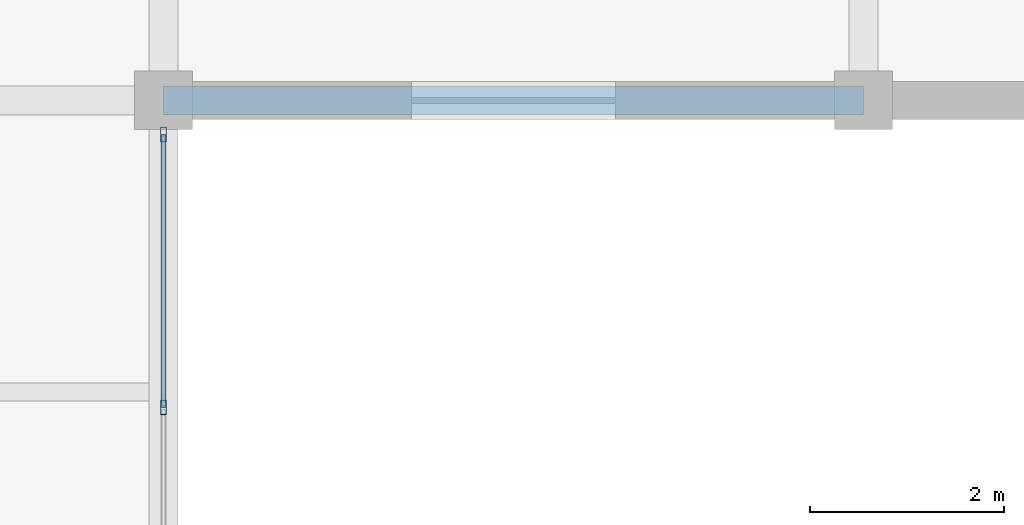
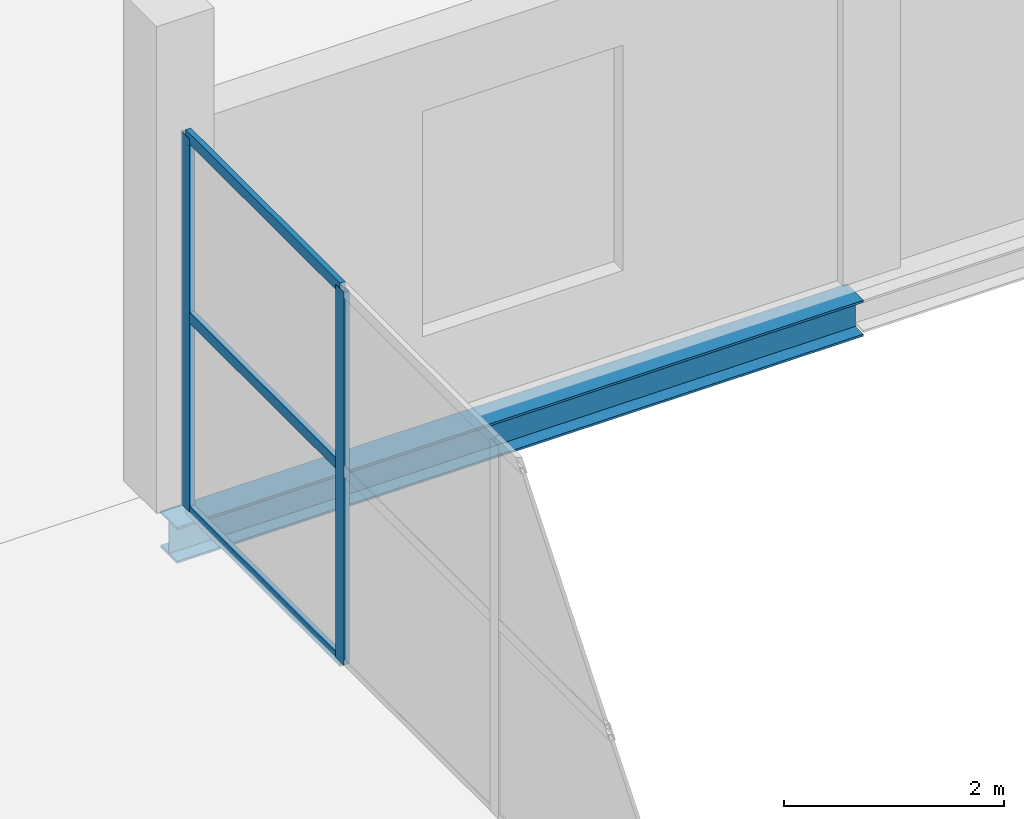
# One storey, part 86 of 141: 5 members, 1 beam, 1 element without a shape of its own.
"""IFC4 building model written with IfcOpenShell, lengths in metres."""

from ifc_helpers import new_model, si_unit, direction, frame, origin, origin_2d, place, context, subcontext, project, spatial, hollow_rectangle, i_section, extrude, material, layer, layer_set, material_profile, profile_set, type_object, element, aggregate, save


model = new_model("IFC4")

# Units and contexts
model_context = context("Model", 3, precision=1e-05, world=origin(), true_north=direction((0.0, 1.0)))
body_context = subcontext(model_context, "Body", "Model", "MODEL_VIEW")
ifc_project = project(units=[si_unit("LENGTHUNIT", "METRE"), si_unit("AREAUNIT", "SQUARE_METRE"), si_unit("VOLUMEUNIT", "CUBIC_METRE"), si_unit("PLANEANGLEUNIT", "RADIAN"), si_unit("MASSUNIT", "GRAM", prefix="KILO")], contexts=[model_context])

# Site, building, storey
site_placement = place(None, origin())
site = spatial("IfcSite", under=ifc_project, at=site_placement, CompositionType="ELEMENT")
building_placement = place(site_placement, origin())
building = spatial("IfcBuilding", under=site, at=building_placement, Name="Sundgate Opera House", CompositionType="ELEMENT")
storey_placement = place(building_placement, frame((0.0, 0.0, 11.39990234375)))
storey = spatial("IfcBuildingStorey", under=building, at=storey_placement, Name="L02", CompositionType="ELEMENT", Elevation=11.39990234375)

# Beam
ifc_material_1 = material(Name="Steel S355J2", Category="steel")
ifc_material_profile_1 = material_profile(ifc_material_1, i_section(OverallWidth=0.300048828125, OverallDepth=0.39990234375, WebThickness=0.013427734375, FlangeThickness=0.02392578125, at=origin_2d()), Name="HEB 400")
ifc_profile_set_1 = profile_set([ifc_material_profile_1], Name="Steel S355J2")
beam_type = type_object("IfcBeamType", Name="BM-GR-HEB400", PredefinedType="BEAM", material=ifc_profile_set_1)
beam_placement = place(storey_placement, frame((145.800048828125, 69.0, -0.5498046875), z_axis=(1.0, 0.0, 0.0), x_axis=(0.0, 1.0, 0.0)))
element("IfcBeam", 1, at=beam_placement, inside=storey, type_object=beam_type, Name="L02 Primary E-W Girder B2041", PredefinedType="BEAM", context=body_context, shape_type="SweptSolid", body=[
    extrude(i_section(OverallWidth=0.300048828125, OverallDepth=0.39990234375, WebThickness=0.013427734375, FlangeThickness=0.02392578125, at=origin_2d()), origin(), (0.0, 0.0, 1.0), 7.199951171875),
])

# Curtain wall, members
ifc_material_2 = material(Name="Anodized aluminium and low-iron glass", Category="aluminium")
ifc_layer = layer(ifc_material_2, 0.159912109375)
ifc_layer_set = layer_set([ifc_layer], Name="Anodized aluminium and low-iron glass")
curtain_wall_type = type_object("IfcCurtainWallType", Name="CW-STUDIO-DARK", PredefinedType="NOTDEFINED", material=ifc_layer_set)
curtain_wall_placement = place(storey_placement, origin())
curtain_wall = element("IfcCurtainWall", 2, at=curtain_wall_placement, inside=storey, type_object=curtain_wall_type, Name="L02 Curtain Wall CW069", PredefinedType="NOTDEFINED")
ifc_material_3 = material(Name="Anodized aluminium EN AW-6063", Category="aluminium")
ifc_material_profile_2 = material_profile(ifc_material_3, hollow_rectangle(XDim=0.06005859375, YDim=0.14990234375, WallThickness=0.00390625, at=origin_2d()), Name="CWM 150x60x4")
ifc_profile_set_2 = profile_set([ifc_material_profile_2], Name="Anodized aluminium EN AW-6063")
member_type_1 = type_object("IfcMemberType", Name="CWM-ALU-150x60", PredefinedType="MULLION", material=ifc_profile_set_2)
member_1_placement = place(storey_placement, frame((145.800048828125, 65.841552734375, 0.0), z_axis=(0.0, 0.0, 1.0), x_axis=(1.0, 0.0, 0.0)))
member_1 = element("IfcMember", 3, at=member_1_placement, type_object=member_type_1, Name="CW069 Mullion 3", PredefinedType="MULLION", context=body_context, shape_type="SweptSolid", body=[
    extrude(hollow_rectangle(XDim=0.06005859375, YDim=0.14990234375, WallThickness=0.00390625, at=origin_2d()), origin(), (0.0, 0.0, 1.0), 4.135009765625),
])
member_2_placement = place(storey_placement, frame((145.800048828125, 68.64990234375, 0.0), z_axis=(0.0, 0.0, 1.0), x_axis=(1.0, 0.0, 0.0)))
member_2 = element("IfcMember", 4, at=member_2_placement, type_object=member_type_1, Name="CW069 Mullion 4", PredefinedType="MULLION", context=body_context, shape_type="SweptSolid", body=[
    extrude(hollow_rectangle(XDim=0.06005859375, YDim=0.14990234375, WallThickness=0.00390625, at=origin_2d()), origin(), (0.0, 0.0, 1.0), 4.135009765625),
])
ifc_material_4 = material(Name="Anodized aluminium EN AW-6063", Category="aluminium")
ifc_material_profile_3 = material_profile(ifc_material_4, hollow_rectangle(XDim=0.054931640625, YDim=0.1201171875, WallThickness=0.00390625, at=origin_2d()), Name="CWT 120x55x4")
ifc_profile_set_3 = profile_set([ifc_material_profile_3], Name="Anodized aluminium EN AW-6063")
member_type_2 = type_object("IfcMemberType", Name="CWT-ALU-120x55", PredefinedType="USERDEFINED", material=ifc_profile_set_3)
member_3_placement = place(storey_placement, frame((145.800048828125, 65.841552734375, 0.0), z_axis=(0.0, 1.0, 0.0), x_axis=(-1.0, 0.0, 0.0)))
member_3 = element("IfcMember", 5, at=member_3_placement, type_object=member_type_2, Name="CW069 Transom 7", ObjectType="TRANSOM", PredefinedType="USERDEFINED", context=body_context, shape_type="SweptSolid", body=[
    extrude(hollow_rectangle(XDim=0.054931640625, YDim=0.1201171875, WallThickness=0.00390625, at=origin_2d()), origin(), (0.0, 0.0, 1.0), 2.808349609375),
])
member_4_placement = place(storey_placement, frame((145.800048828125, 65.841552734375, 2.150146484375), z_axis=(0.0, 1.0, 0.0), x_axis=(-1.0, 0.0, 0.0)))
member_4 = element("IfcMember", 6, at=member_4_placement, type_object=member_type_2, Name="CW069 Transom 8", ObjectType="TRANSOM", PredefinedType="USERDEFINED", context=body_context, shape_type="SweptSolid", body=[
    extrude(hollow_rectangle(XDim=0.054931640625, YDim=0.1201171875, WallThickness=0.00390625, at=origin_2d()), origin(), (0.0, 0.0, 1.0), 2.808349609375),
])
member_5_placement = place(storey_placement, frame((145.800048828125, 65.841552734375, 4.135009765625), z_axis=(0.0, 1.0, 0.0), x_axis=(-1.0, 0.0, 0.0)))
member_5 = element("IfcMember", 7, at=member_5_placement, type_object=member_type_2, Name="CW069 Transom 9", ObjectType="TRANSOM", PredefinedType="USERDEFINED", context=body_context, shape_type="SweptSolid", body=[
    extrude(hollow_rectangle(XDim=0.054931640625, YDim=0.1201171875, WallThickness=0.00390625, at=origin_2d()), origin(), (0.0, 0.0, 1.0), 2.808349609375),
])
aggregate(curtain_wall, [member_1, member_2, member_3, member_4, member_5])

save(model, "model.ifc")
